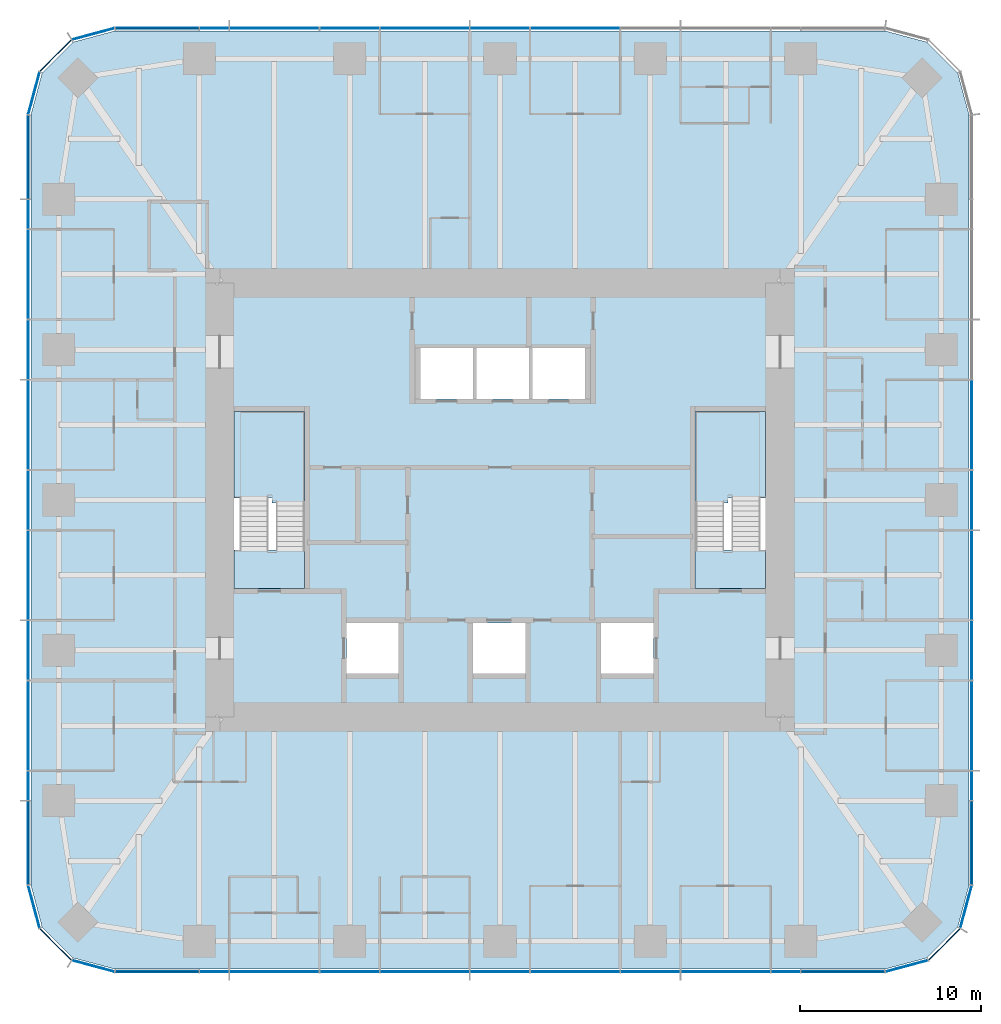
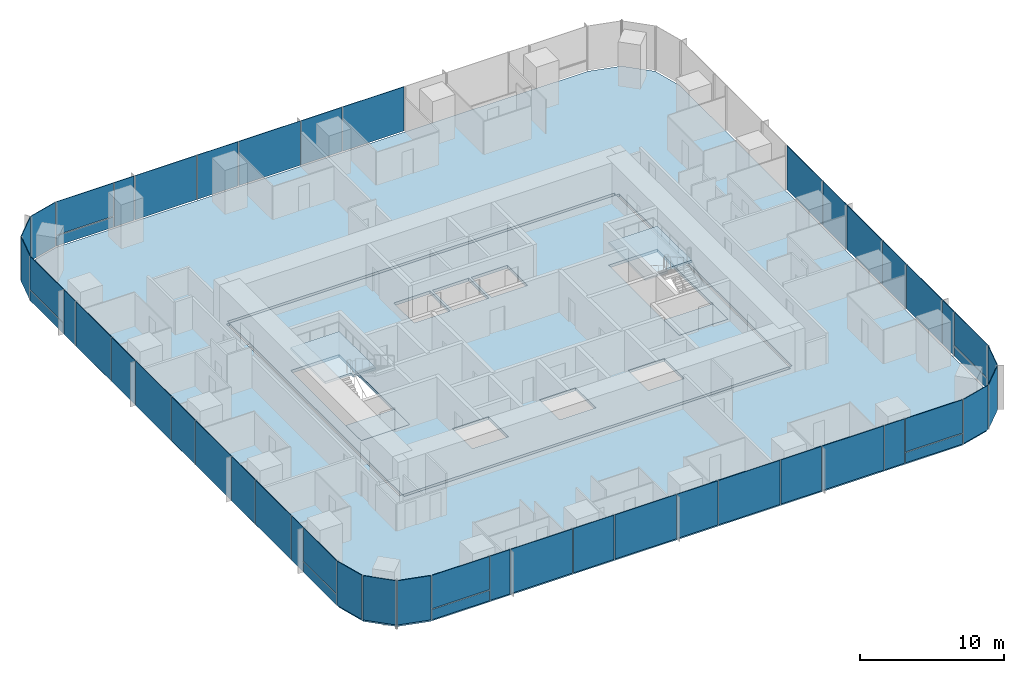
# One storey, part 7 of 12: 51 plates, 6 slabs, 9 elements without a shape of their own.
"""IFC4 building model written with IfcOpenShell, lengths in metres."""

import ifcopenshell
import ifcopenshell.guid

model = None  # the IFC model being written
_history = None  # IfcOwnerHistory: only IFC2X3 demands one
_inside = {}  # id of a spatial element -> (the spatial element, [elements in it])
_under = {}  # id of a project, library or spatial element -> (it, [spatial elements below it])
_declared = {}  # id of a project -> (the project, [libraries it declares])
_typed = {}  # id of a type object -> (the type object, [elements of that type])
_made_of = {}  # id of a material, layer set ... -> (it, [elements and type objects made of it])


def new_model(schema):
    """Start an empty IFC model of exactly this schema.

    Asked for "IFC4X3", IfcOpenShell would pick the latest addendum, in which some entities
    have other attributes; the version numbers below select the first issue.
    IFC2X3 requires an IfcOwnerHistory on every rooted entity: one is made here for all.
    """
    global model, _history
    if schema == "IFC4X3":
        model = ifcopenshell.file(schema_version=(4, 3, 0, 0))
    else:
        model = ifcopenshell.file(schema=schema)
    _inside.clear()
    _under.clear()
    _declared.clear()
    _typed.clear()
    _made_of.clear()
    _history = None
    if model.schema == "IFC2X3":
        org = make("IfcOrganization", Name="unknown")
        user = make(
            "IfcPersonAndOrganization",
            ThePerson=make("IfcPerson", FamilyName="unknown"),
            TheOrganization=org,
        )
        app = make(
            "IfcApplication",
            ApplicationDeveloper=org,
            Version="unknown",
            ApplicationFullName="unknown",
            ApplicationIdentifier="unknown",
        )
        _history = make(
            "IfcOwnerHistory",
            OwningUser=user,
            OwningApplication=app,
            ChangeAction="ADDED",
            CreationDate=0,
        )
    return model


def make(cls, **values):
    """One entity of the class cls with the attributes given. An attribute that is None is left unset."""
    return model.create_entity(
        cls, **{name: value for name, value in values.items() if value is not None}
    )


def rooted(cls, **values):
    """An entity with a GlobalId (a new one), such as an element, a storey or a relation."""
    return make(cls, GlobalId=ifcopenshell.guid.new(), OwnerHistory=_history, **values)


def si_unit(unit_type, name, prefix=None):
    """IfcSIUnit, for example si_unit("LENGTHUNIT", "METRE", prefix="MILLI")."""
    return make("IfcSIUnit", UnitType=unit_type, Prefix=prefix, Name=name)


def assignment(units):
    """IfcUnitAssignment: the units of a project."""
    return None if units is None else make("IfcUnitAssignment", Units=units)


def point(xyz):
    """IfcCartesianPoint."""
    return None if xyz is None else make("IfcCartesianPoint", Coordinates=xyz)


def direction(xyz):
    """IfcDirection."""
    return None if xyz is None else make("IfcDirection", DirectionRatios=xyz)


def frame(location, z_axis=None, x_axis=None):
    """IfcAxis2Placement3D, a coordinate frame: its origin and axes. An axis left out is left unset."""
    return make(
        "IfcAxis2Placement3D",
        Location=point(location),
        Axis=direction(z_axis),
        RefDirection=direction(x_axis),
    )


def frame_2d(location, x_axis=None):
    """IfcAxis2Placement2D, a coordinate frame in the plane: its origin and x axis."""
    return make(
        "IfcAxis2Placement2D", Location=point(location), RefDirection=direction(x_axis)
    )


def origin():
    """The frame at (0, 0, 0) with its axes left unset."""
    return frame((0.0, 0.0, 0.0))


def origin_2d():
    """The frame at (0, 0) in the plane with its x axis left unset."""
    return frame_2d((0.0, 0.0))


def place(relative_to, where):
    """IfcLocalPlacement: puts the frame where relative to a parent placement (None: the world)."""
    return make(
        "IfcLocalPlacement", PlacementRelTo=relative_to, RelativePlacement=where
    )


def context(
    kind, dimensions, precision=None, world=None, true_north=None, identifier=None
):
    """IfcGeometricRepresentationContext, for example the 3D "Model" context."""
    return make(
        "IfcGeometricRepresentationContext",
        ContextIdentifier=identifier,
        ContextType=kind,
        CoordinateSpaceDimension=dimensions,
        Precision=precision,
        WorldCoordinateSystem=world,
        TrueNorth=true_north,
    )


def subcontext(parent, identifier, kind, view, scale=None):
    """IfcGeometricRepresentationSubContext, for example "Body" below "Model"."""
    return make(
        "IfcGeometricRepresentationSubContext",
        ContextIdentifier=identifier,
        ContextType=kind,
        ParentContext=parent,
        TargetScale=scale,
        TargetView=view,
    )


def project(units=None, contexts=None):
    """IfcProject with its units and contexts."""
    return rooted(
        "IfcProject",
        Name="project",
        RepresentationContexts=contexts,
        UnitsInContext=assignment(units),
    )


def spatial(cls, under=None, at=None, **own):
    """A site, building, storey or space (cls), placed at a placement, below another one or the project."""
    s = rooted(cls, ObjectPlacement=at, **own)
    if under is not None:
        _under.setdefault(under.id(), (under, []))[1].append(s)
    return s


def polyline(points):
    """IfcPolyline through the points."""
    return make("IfcPolyline", Points=[point(p) for p in points])


def profile(cls, at=None, kind="AREA", **sizes):
    """A parametric profile (cls). Its sizes go by their IFC names, for example OverallWidth=200.0."""
    return make(cls, ProfileType=kind, Position=at, **sizes)


def rectangle(**sizes):
    """IfcRectangleProfileDef."""
    return profile("IfcRectangleProfileDef", **sizes)


def outline(outer, holes=None, kind="AREA"):
    """IfcArbitraryClosedProfileDef: a profile drawn as a closed curve; with holes, ...WithVoids."""
    if holes is None:
        return make("IfcArbitraryClosedProfileDef", ProfileType=kind, OuterCurve=outer)
    return make(
        "IfcArbitraryProfileDefWithVoids",
        ProfileType=kind,
        OuterCurve=outer,
        InnerCurves=holes,
    )


def extrude(swept, where, along, depth):
    """IfcExtrudedAreaSolid: the profile swept, set in the frame where, extruded along a direction by depth."""
    return make(
        "IfcExtrudedAreaSolid",
        SweptArea=swept,
        Position=where,
        ExtrudedDirection=direction(along),
        Depth=depth,
    )


def shape(context_of_items, identifier, shape_type, items):
    """IfcShapeRepresentation: the items that make up one representation, for example the "Body"."""
    return make(
        "IfcShapeRepresentation",
        ContextOfItems=context_of_items,
        RepresentationIdentifier=identifier,
        RepresentationType=shape_type,
        Items=items,
    )


def material(Name=None, Category=None):
    """IfcMaterial."""
    return make("IfcMaterial", Name=Name, Category=Category)


def layer(
    of_material, thickness, ventilated=None, Name=None, Category=None, Priority=None
):
    """IfcMaterialLayer: one layer of a wall or slab, of a material (None: an air gap)."""
    return make(
        "IfcMaterialLayer",
        Material=of_material,
        LayerThickness=thickness,
        IsVentilated=ventilated,
        Name=Name,
        Category=Category,
        Priority=Priority,
    )


def layer_set(layers, Name=None):
    """IfcMaterialLayerSet."""
    return make("IfcMaterialLayerSet", MaterialLayers=layers, LayerSetName=Name)


def made_of(thing, what):
    """Note that an element or type object is made of a material, layer set ...; save() writes the relation."""
    if what is not None:
        _made_of.setdefault(what.id(), (what, []))[1].append(thing)
    return thing


def type_object(cls, material=None, **own):
    """A type object (cls), such as IfcWallType, which elements share."""
    return made_of(rooted(cls, **own), material)


def element(
    cls,
    number,
    at=None,
    inside=None,
    cuts=None,
    type_object=None,
    material=None,
    context=None,
    identifier="Body",
    shape_type=None,
    held_by="IfcProductDefinitionShape",
    body=None,
    shapes=None,
    **own,
):
    """One element of the class cls, such as IfcWall. Its Tag is "e" and its number.

    at: its placement. inside: the storey or other place that contains it. cuts: it is an
    opening in that element (IfcRelVoidsElement). A single representation is given by context,
    identifier, shape_type and body (its items); several are given by shapes. held_by: the class
    of the entity that holds the representations. save() writes the other relations.
    """
    e = rooted(cls, Tag="e%d" % number, ObjectPlacement=at, **own)
    if body is not None:
        shapes = [shape(context, identifier, shape_type, body)]
    if shapes is not None:
        e.Representation = make(held_by, Representations=shapes)
    if inside is not None:
        _inside.setdefault(inside.id(), (inside, []))[1].append(e)
    if cuts is not None:
        rooted(
            "IfcRelVoidsElement", RelatingBuildingElement=cuts, RelatedOpeningElement=e
        )
    if type_object is not None:
        _typed.setdefault(type_object.id(), (type_object, []))[1].append(e)
    return made_of(e, material)


def aggregate(whole, parts):
    """IfcRelAggregates: a whole, such as a stair, and the parts it consists of."""
    return rooted("IfcRelAggregates", RelatingObject=whole, RelatedObjects=parts)


def save(model, path):
    """Write the relations noted so far, then the file.

    IfcRelAggregates (storeys below a building ...), IfcRelContainedInSpatialStructure (elements
    in a storey), IfcRelDefinesByType, IfcRelAssociatesMaterial and IfcRelDeclares: one each for
    every whole, place, type object, material and project.
    """
    for whole, parts in _under.values():
        aggregate(whole, parts)
    for where, things in _inside.values():
        rooted(
            "IfcRelContainedInSpatialStructure",
            RelatedElements=things,
            RelatingStructure=where,
        )
    for kind, things in _typed.values():
        rooted("IfcRelDefinesByType", RelatedObjects=things, RelatingType=kind)
    for what, things in _made_of.values():
        rooted("IfcRelAssociatesMaterial", RelatedObjects=things, RelatingMaterial=what)
    for by, libraries in _declared.values():
        rooted("IfcRelDeclares", RelatingContext=by, RelatedDefinitions=libraries)
    model.write(path)


model = new_model("IFC4")

# Units and contexts
model_context = context("Model", 3, precision=1e-05, world=origin(), true_north=direction((0.0, 1.0)))
body_context = subcontext(model_context, "Body", "Model", "MODEL_VIEW")
ifc_project = project(units=[si_unit("LENGTHUNIT", "METRE"), si_unit("AREAUNIT", "SQUARE_METRE"), si_unit("VOLUMEUNIT", "CUBIC_METRE"), si_unit("PLANEANGLEUNIT", "RADIAN"), si_unit("MASSUNIT", "GRAM", prefix="KILO")], contexts=[model_context])

# Site, building, storey
site_placement = place(None, origin())
site = spatial("IfcSite", under=ifc_project, at=site_placement, CompositionType="ELEMENT")
building_placement = place(site_placement, origin())
building = spatial("IfcBuilding", under=site, at=building_placement, Name="Khuree Lantern Residences", CompositionType="ELEMENT")
storey_placement = place(building_placement, frame((0.0, 0.0, 233.25)))
storey = spatial("IfcBuildingStorey", under=building, at=storey_placement, Name="L58", CompositionType="ELEMENT", Elevation=233.25)

# Slab
ifc_material_1 = material(Name="Concrete C35/45", Category="concrete")
ifc_layer_1 = layer(ifc_material_1, 0.25)
ifc_layer_set_1 = layer_set([ifc_layer_1], Name="CFL250 CORE FLOOR SLAB 250")
slab_type_1 = type_object("IfcSlabType", Name="CFL250 CORE FLOOR SLAB 250", PredefinedType="FLOOR", material=ifc_layer_set_1)
slab_1_placement = place(storey_placement, frame((0.0, 0.0, -0.25)))
element("IfcSlab", 1, at=slab_1_placement, inside=storey, type_object=slab_type_1, Name="Core floor L58", PredefinedType="FLOOR", context=body_context, shape_type="SweptSolid", body=[
    extrude(outline(polyline([(-15.5, -12.0), (-15.5, 12.0), (15.5, 12.0), (15.5, -12.0), (-15.5, -12.0)]), holes=[polyline([(10.800048828125, 4.89990234375), (10.800048828125, -4.89990234375), (14.699951171875, -4.89990234375), (14.699951171875, 4.89990234375), (10.800048828125, 4.89990234375)]), polyline([(5.60009765625, -6.800048828125), (5.60009765625, -9.60009765625), (8.5, -9.60009765625), (8.5, -6.800048828125), (5.60009765625, -6.800048828125)]), polyline([(1.800048828125, 8.39990234375), (1.800048828125, 5.60009765625), (4.699951171875, 5.60009765625), (4.699951171875, 8.39990234375), (1.800048828125, 8.39990234375)]), polyline([(-1.300048828125, 8.39990234375), (-1.300048828125, 5.60009765625), (1.60009765625, 5.60009765625), (1.60009765625, 8.39990234375), (-1.300048828125, 8.39990234375)]), polyline([(-1.5, -6.800048828125), (-1.5, -9.60009765625), (1.39990234375, -9.60009765625), (1.39990234375, -6.800048828125), (-1.5, -6.800048828125)]), polyline([(-4.39990234375, 8.39990234375), (-4.39990234375, 5.60009765625), (-1.5, 5.60009765625), (-1.5, 8.39990234375), (-4.39990234375, 8.39990234375)]), polyline([(-8.5, -6.800048828125), (-8.5, -9.60009765625), (-5.60009765625, -9.60009765625), (-5.60009765625, -6.800048828125), (-8.5, -6.800048828125)]), polyline([(-14.699951171875, 4.89990234375), (-14.699951171875, -4.89990234375), (-10.800048828125, -4.89990234375), (-10.800048828125, 4.89990234375), (-14.699951171875, 4.89990234375)])]), origin(), (0.0, 0.0, 1.0), 0.25),
])

# Curtain wall, plates
ifc_material_2 = material(Name="Bronze anodised aluminium", Category="aluminium")
curtain_wall_type_1 = type_object("IfcCurtainWallType", Name="CW-T2 TOWER CORNER CURTAIN WALL", PredefinedType="USERDEFINED", material=ifc_material_2)
curtain_wall_1_placement = place(storey_placement, origin())
curtain_wall_1 = element("IfcCurtainWall", 2, at=curtain_wall_1_placement, inside=storey, type_object=curtain_wall_type_1, Name="L58 SOUTH-EAST CORNER CURTAIN WALL", ObjectType="Faceted corner curtain wall", PredefinedType="USERDEFINED")
ifc_material_3 = material(Name="Bronze tinted triple glazing", Category="glass")
ifc_layer_2 = layer(ifc_material_3, 0.048095703125)
ifc_layer_set_2 = layer_set([ifc_layer_2], Name="FACET PANEL P4")
plate_type_1 = type_object("IfcPlateType", Name="FACET PANEL P4", PredefinedType="CURTAIN_PANEL", material=ifc_layer_set_2)
plate_1_placement = place(storey_placement, frame((22.498046875, -25.779052734375, 0.0), z_axis=(0.0, 0.0, 1.0), x_axis=(0.965925832509, 0.258819021888, 0.0)))
plate_1 = element("IfcPlate", 3, at=plate_1_placement, type_object=plate_type_1, Name="L58 SOUTH-EAST CORNER PANEL 1.1", PredefinedType="CURTAIN_PANEL", context=body_context, shape_type="SweptSolid", body=[
    extrude(rectangle(XDim=2.40869140625, YDim=0.048095703125, at=origin_2d()), origin(), (0.0, 0.0, 1.0), 3.75),
])
plate_2_placement = place(storey_placement, frame((24.578369140625, -24.578369140625, 0.0), z_axis=(0.0, 0.0, 1.0), x_axis=(0.707106781187, 0.707106781187, 0.0)))
plate_2 = element("IfcPlate", 4, at=plate_2_placement, type_object=plate_type_1, Name="L58 SOUTH-EAST CORNER PANEL 2.1", PredefinedType="CURTAIN_PANEL", context=body_context, shape_type="SweptSolid", body=[
    extrude(rectangle(XDim=2.404541015625, YDim=0.048095703125, at=origin_2d()), origin(), (0.0, 0.0, 1.0), 3.75),
])
plate_3_placement = place(storey_placement, frame((25.779052734375, -22.498046875, 0.0), z_axis=(0.0, 0.0, 1.0), x_axis=(0.258819021888, 0.965925832509, 0.0)))
plate_3 = element("IfcPlate", 5, at=plate_3_placement, type_object=plate_type_1, Name="L58 SOUTH-EAST CORNER PANEL 3.1", PredefinedType="CURTAIN_PANEL", context=body_context, shape_type="SweptSolid", body=[
    extrude(rectangle(XDim=2.40869140625, YDim=0.048095703125, at=origin_2d()), origin(), (0.0, 0.0, 1.0), 3.75),
])
aggregate(curtain_wall_1, [plate_1, plate_2, plate_3])

curtain_wall_2_placement = place(storey_placement, origin())
curtain_wall_2 = element("IfcCurtainWall", 6, at=curtain_wall_2_placement, inside=storey, type_object=curtain_wall_type_1, Name="L58 NORTH-WEST CORNER CURTAIN WALL", ObjectType="Faceted corner curtain wall", PredefinedType="USERDEFINED")
plate_4_placement = place(storey_placement, frame((-22.498046875, 25.779052734375, 0.0), z_axis=(0.0, 0.0, 1.0), x_axis=(-0.965925832509, -0.258819021888, 0.0)))
plate_4 = element("IfcPlate", 7, at=plate_4_placement, type_object=plate_type_1, Name="L58 NORTH-WEST CORNER PANEL 29.1", PredefinedType="CURTAIN_PANEL", context=body_context, shape_type="SweptSolid", body=[
    extrude(rectangle(XDim=2.40869140625, YDim=0.048095703125, at=origin_2d()), origin(), (0.0, 0.0, 1.0), 3.75),
])
plate_5_placement = place(storey_placement, frame((-24.578369140625, 24.578369140625, 0.0), z_axis=(0.0, 0.0, 1.0), x_axis=(-0.707106781187, -0.707106781187, 0.0)))
plate_5 = element("IfcPlate", 8, at=plate_5_placement, type_object=plate_type_1, Name="L58 NORTH-WEST CORNER PANEL 30.1", PredefinedType="CURTAIN_PANEL", context=body_context, shape_type="SweptSolid", body=[
    extrude(rectangle(XDim=2.404541015625, YDim=0.048095703125, at=origin_2d()), origin(), (0.0, 0.0, 1.0), 3.75),
])
plate_6_placement = place(storey_placement, frame((-25.779052734375, 22.498046875, 0.0), z_axis=(0.0, 0.0, 1.0), x_axis=(-0.258819021888, -0.965925832509, 0.0)))
plate_6 = element("IfcPlate", 9, at=plate_6_placement, type_object=plate_type_1, Name="L58 NORTH-WEST CORNER PANEL 31.1", PredefinedType="CURTAIN_PANEL", context=body_context, shape_type="SweptSolid", body=[
    extrude(rectangle(XDim=2.40869140625, YDim=0.048095703125, at=origin_2d()), origin(), (0.0, 0.0, 1.0), 3.75),
])
aggregate(curtain_wall_2, [plate_4, plate_5, plate_6])

curtain_wall_3_placement = place(storey_placement, origin())
curtain_wall_3 = element("IfcCurtainWall", 10, at=curtain_wall_3_placement, inside=storey, type_object=curtain_wall_type_1, Name="L58 SOUTH-WEST CORNER CURTAIN WALL", ObjectType="Faceted corner curtain wall", PredefinedType="USERDEFINED")
plate_7_placement = place(storey_placement, frame((-25.779052734375, -22.498046875, 0.0), z_axis=(0.0, 0.0, 1.0), x_axis=(0.258819021888, -0.965925832509, 0.0)))
plate_7 = element("IfcPlate", 11, at=plate_7_placement, type_object=plate_type_1, Name="L58 SOUTH-WEST CORNER PANEL 43.1", PredefinedType="CURTAIN_PANEL", context=body_context, shape_type="SweptSolid", body=[
    extrude(rectangle(XDim=2.40869140625, YDim=0.048095703125, at=origin_2d()), origin(), (0.0, 0.0, 1.0), 3.75),
])
plate_8_placement = place(storey_placement, frame((-24.578369140625, -24.578369140625, 0.0), z_axis=(0.0, 0.0, 1.0), x_axis=(0.707106781187, -0.707106781187, 0.0)))
plate_8 = element("IfcPlate", 12, at=plate_8_placement, type_object=plate_type_1, Name="L58 SOUTH-WEST CORNER PANEL 44.1", PredefinedType="CURTAIN_PANEL", context=body_context, shape_type="SweptSolid", body=[
    extrude(rectangle(XDim=2.404541015625, YDim=0.048095703125, at=origin_2d()), origin(), (0.0, 0.0, 1.0), 3.75),
])
plate_9_placement = place(storey_placement, frame((-22.498046875, -25.779052734375, 0.0), z_axis=(0.0, 0.0, 1.0), x_axis=(0.965925832509, -0.258819021888, 0.0)))
plate_9 = element("IfcPlate", 13, at=plate_9_placement, type_object=plate_type_1, Name="L58 SOUTH-WEST CORNER PANEL 45.1", PredefinedType="CURTAIN_PANEL", context=body_context, shape_type="SweptSolid", body=[
    extrude(rectangle(XDim=2.40869140625, YDim=0.048095703125, at=origin_2d()), origin(), (0.0, 0.0, 1.0), 3.75),
])
aggregate(curtain_wall_3, [plate_7, plate_8, plate_9])

curtain_wall_type_2 = type_object("IfcCurtainWallType", Name="CW-T1 TOWER FACE CURTAIN WALL", PredefinedType="USERDEFINED", material=ifc_material_2)
curtain_wall_4_placement = place(storey_placement, origin())
curtain_wall_4 = element("IfcCurtainWall", 14, at=curtain_wall_4_placement, inside=storey, type_object=curtain_wall_type_2, Name="L58 EAST FACE CURTAIN WALL", ObjectType="Stick-built curtain wall", PredefinedType="USERDEFINED")
ifc_material_4 = material(Name="Bronze tinted triple glazing with a ceramic-fritted spandrel band", Category="glass")
ifc_layer_3 = layer(ifc_material_4, 0.048095703125)
ifc_layer_set_3 = layer_set([ifc_layer_3], Name="FIXED LIGHT PANEL P11")
plate_type_2 = type_object("IfcPlateType", Name="FIXED LIGHT PANEL P11", PredefinedType="CURTAIN_PANEL", material=ifc_layer_set_3)
plate_10_placement = place(storey_placement, frame((26.10009765625, -12.47998046875, 0.0), z_axis=(0.0, 0.0, 1.0), x_axis=(0.0, 1.0, 0.0)))
plate_10 = element("IfcPlate", 15, at=plate_10_placement, type_object=plate_type_2, Name="L58 EAST FACE PANEL 6.1", PredefinedType="CURTAIN_PANEL", context=body_context, shape_type="SweptSolid", body=[
    extrude(rectangle(XDim=4.927001953125, YDim=0.048095703125, at=origin_2d()), origin(), (0.0, 0.0, 1.0), 3.75),
])
plate_11_placement = place(storey_placement, frame((26.10009765625, -4.159912109375, 0.0), z_axis=(0.0, 0.0, 1.0), x_axis=(0.0, 1.0, 0.0)))
plate_11 = element("IfcPlate", 16, at=plate_11_placement, type_object=plate_type_2, Name="L58 EAST FACE PANEL 8.1", PredefinedType="CURTAIN_PANEL", context=body_context, shape_type="SweptSolid", body=[
    extrude(rectangle(XDim=4.927001953125, YDim=0.048095703125, at=origin_2d()), origin(), (0.0, 0.0, 1.0), 3.75),
])
plate_12_placement = place(storey_placement, frame((26.10009765625, 4.159912109375, 0.0), z_axis=(0.0, 0.0, 1.0), x_axis=(0.0, 1.0, 0.0)))
plate_12 = element("IfcPlate", 17, at=plate_12_placement, type_object=plate_type_2, Name="L58 EAST FACE PANEL 10.1", PredefinedType="CURTAIN_PANEL", context=body_context, shape_type="SweptSolid", body=[
    extrude(rectangle(XDim=4.927001953125, YDim=0.048095703125, at=origin_2d()), origin(), (0.0, 0.0, 1.0), 3.75),
])

curtain_wall_5_placement = place(storey_placement, origin())
curtain_wall_5 = element("IfcCurtainWall", 18, at=curtain_wall_5_placement, inside=storey, type_object=curtain_wall_type_2, Name="L58 NORTH FACE CURTAIN WALL", ObjectType="Stick-built curtain wall", PredefinedType="USERDEFINED")
plate_13_placement = place(storey_placement, frame((4.159912109375, 26.10009765625, 0.0), z_axis=(0.0, 0.0, 1.0), x_axis=(-1.0, 0.0, 0.0)))
plate_13 = element("IfcPlate", 19, at=plate_13_placement, type_object=plate_type_2, Name="L58 NORTH FACE PANEL 22.1", PredefinedType="CURTAIN_PANEL", context=body_context, shape_type="SweptSolid", body=[
    extrude(rectangle(XDim=4.927001953125, YDim=0.048095703125, at=origin_2d()), origin(), (0.0, 0.0, 1.0), 3.75),
])
plate_14_placement = place(storey_placement, frame((-4.159912109375, 26.10009765625, 0.0), z_axis=(0.0, 0.0, 1.0), x_axis=(-1.0, 0.0, 0.0)))
plate_14 = element("IfcPlate", 20, at=plate_14_placement, type_object=plate_type_2, Name="L58 NORTH FACE PANEL 24.1", PredefinedType="CURTAIN_PANEL", context=body_context, shape_type="SweptSolid", body=[
    extrude(rectangle(XDim=4.927001953125, YDim=0.048095703125, at=origin_2d()), origin(), (0.0, 0.0, 1.0), 3.75),
])
plate_15_placement = place(storey_placement, frame((-12.47998046875, 26.10009765625, 0.0), z_axis=(0.0, 0.0, 1.0), x_axis=(-1.0, 0.0, 0.0)))
plate_15 = element("IfcPlate", 21, at=plate_15_placement, type_object=plate_type_2, Name="L58 NORTH FACE PANEL 26.1", PredefinedType="CURTAIN_PANEL", context=body_context, shape_type="SweptSolid", body=[
    extrude(rectangle(XDim=4.927001953125, YDim=0.048095703125, at=origin_2d()), origin(), (0.0, 0.0, 1.0), 3.75),
])

curtain_wall_6_placement = place(storey_placement, origin())
curtain_wall_6 = element("IfcCurtainWall", 22, at=curtain_wall_6_placement, inside=storey, type_object=curtain_wall_type_2, Name="L58 WEST FACE CURTAIN WALL", ObjectType="Stick-built curtain wall", PredefinedType="USERDEFINED")
plate_16_placement = place(storey_placement, frame((-26.10009765625, 12.47998046875, 0.0), z_axis=(0.0, 0.0, 1.0), x_axis=(0.0, -1.0, 0.0)))
plate_16 = element("IfcPlate", 23, at=plate_16_placement, type_object=plate_type_2, Name="L58 WEST FACE PANEL 34.1", PredefinedType="CURTAIN_PANEL", context=body_context, shape_type="SweptSolid", body=[
    extrude(rectangle(XDim=4.927001953125, YDim=0.048095703125, at=origin_2d()), origin(), (0.0, 0.0, 1.0), 3.75),
])
plate_17_placement = place(storey_placement, frame((-26.10009765625, 4.159912109375, 0.0), z_axis=(0.0, 0.0, 1.0), x_axis=(0.0, -1.0, 0.0)))
plate_17 = element("IfcPlate", 24, at=plate_17_placement, type_object=plate_type_2, Name="L58 WEST FACE PANEL 36.1", PredefinedType="CURTAIN_PANEL", context=body_context, shape_type="SweptSolid", body=[
    extrude(rectangle(XDim=4.927001953125, YDim=0.048095703125, at=origin_2d()), origin(), (0.0, 0.0, 1.0), 3.75),
])
plate_18_placement = place(storey_placement, frame((-26.10009765625, -4.159912109375, 0.0), z_axis=(0.0, 0.0, 1.0), x_axis=(0.0, -1.0, 0.0)))
plate_18 = element("IfcPlate", 25, at=plate_18_placement, type_object=plate_type_2, Name="L58 WEST FACE PANEL 38.1", PredefinedType="CURTAIN_PANEL", context=body_context, shape_type="SweptSolid", body=[
    extrude(rectangle(XDim=4.927001953125, YDim=0.048095703125, at=origin_2d()), origin(), (0.0, 0.0, 1.0), 3.75),
])
plate_19_placement = place(storey_placement, frame((-26.10009765625, -12.47998046875, 0.0), z_axis=(0.0, 0.0, 1.0), x_axis=(0.0, -1.0, 0.0)))
plate_19 = element("IfcPlate", 26, at=plate_19_placement, type_object=plate_type_2, Name="L58 WEST FACE PANEL 40.1", PredefinedType="CURTAIN_PANEL", context=body_context, shape_type="SweptSolid", body=[
    extrude(rectangle(XDim=4.927001953125, YDim=0.048095703125, at=origin_2d()), origin(), (0.0, 0.0, 1.0), 3.75),
])

curtain_wall_7_placement = place(storey_placement, origin())
curtain_wall_7 = element("IfcCurtainWall", 27, at=curtain_wall_7_placement, inside=storey, type_object=curtain_wall_type_2, Name="L58 SOUTH FACE CURTAIN WALL", ObjectType="Stick-built curtain wall", PredefinedType="USERDEFINED")
plate_20_placement = place(storey_placement, frame((-12.47998046875, -26.10009765625, 0.0), z_axis=(0.0, 0.0, 1.0), x_axis=(1.0, 0.0, 0.0)))
plate_20 = element("IfcPlate", 28, at=plate_20_placement, type_object=plate_type_2, Name="L58 SOUTH FACE PANEL 48.1", PredefinedType="CURTAIN_PANEL", context=body_context, shape_type="SweptSolid", body=[
    extrude(rectangle(XDim=4.927001953125, YDim=0.048095703125, at=origin_2d()), origin(), (0.0, 0.0, 1.0), 3.75),
])
plate_21_placement = place(storey_placement, frame((-4.159912109375, -26.10009765625, 0.0), z_axis=(0.0, 0.0, 1.0), x_axis=(1.0, 0.0, 0.0)))
plate_21 = element("IfcPlate", 29, at=plate_21_placement, type_object=plate_type_2, Name="L58 SOUTH FACE PANEL 50.1", PredefinedType="CURTAIN_PANEL", context=body_context, shape_type="SweptSolid", body=[
    extrude(rectangle(XDim=4.927001953125, YDim=0.048095703125, at=origin_2d()), origin(), (0.0, 0.0, 1.0), 3.75),
])
plate_22_placement = place(storey_placement, frame((4.159912109375, -26.10009765625, 0.0), z_axis=(0.0, 0.0, 1.0), x_axis=(1.0, 0.0, 0.0)))
plate_22 = element("IfcPlate", 30, at=plate_22_placement, type_object=plate_type_2, Name="L58 SOUTH FACE PANEL 52.1", PredefinedType="CURTAIN_PANEL", context=body_context, shape_type="SweptSolid", body=[
    extrude(rectangle(XDim=4.927001953125, YDim=0.048095703125, at=origin_2d()), origin(), (0.0, 0.0, 1.0), 3.75),
])
plate_23_placement = place(storey_placement, frame((12.47998046875, -26.10009765625, 0.0), z_axis=(0.0, 0.0, 1.0), x_axis=(1.0, 0.0, 0.0)))
plate_23 = element("IfcPlate", 31, at=plate_23_placement, type_object=plate_type_2, Name="L58 SOUTH FACE PANEL 54.1", PredefinedType="CURTAIN_PANEL", context=body_context, shape_type="SweptSolid", body=[
    extrude(rectangle(XDim=4.927001953125, YDim=0.048095703125, at=origin_2d()), origin(), (0.0, 0.0, 1.0), 3.75),
])

# Slab
ifc_layer_4 = layer(ifc_material_1, 0.25)
ifc_layer_set_4 = layer_set([ifc_layer_4], Name="FS250 FLOOR SLAB 250")
slab_type_2 = type_object("IfcSlabType", Name="FS250 FLOOR SLAB 250", PredefinedType="FLOOR", material=ifc_layer_set_4)
slab_2_placement = place(storey_placement, frame((0.0, 0.0, -0.25)))
element("IfcSlab", 32, at=slab_2_placement, inside=storey, type_object=slab_type_2, Name="Floor slab L58", PredefinedType="FLOOR", context=body_context, shape_type="SweptSolid", body=[
    extrude(outline(polyline([(-23.625, -25.326904296875), (-25.326904296875, -23.625), (-25.949951171875, -21.300048828125), (-25.949951171875, 21.300048828125), (-25.326904296875, 23.625), (-23.625, 25.326904296875), (-21.300048828125, 25.949951171875), (21.300048828125, 25.949951171875), (23.625, 25.326904296875), (25.326904296875, 23.625), (25.949951171875, 21.300048828125), (25.949951171875, -21.300048828125), (25.326904296875, -23.625), (23.625, -25.326904296875), (21.300048828125, -25.949951171875), (-21.300048828125, -25.949951171875), (-23.625, -25.326904296875)]), holes=[polyline([(15.75, 12.0), (15.5, 12.0), (15.5, 12.25), (-15.5, 12.25), (-15.5, 12.0), (-15.75, 12.0), (-15.75, -12.0), (-15.5, -12.0), (-15.5, -12.25), (15.5, -12.25), (15.5, -12.0), (15.75, -12.0), (15.75, 12.0)])]), origin(), (0.0, 0.0, 1.0), 0.25),
])

# Plate
ifc_material_5 = material(Name="Bronze tinted triple glazing, two aluminium-framed sashes in one frame", Category="aluminium")
ifc_layer_5 = layer(ifc_material_5, 0.048095703125)
ifc_layer_set_5 = layer_set([ifc_layer_5], Name="SASH PAIR PANEL P12")
plate_type_3 = type_object("IfcPlateType", Name="SASH PAIR PANEL P12", PredefinedType="CURTAIN_PANEL", material=ifc_layer_set_5)
plate_24_placement = place(storey_placement, frame((26.10009765625, -8.320068359375, 0.0), z_axis=(0.0, 0.0, 1.0), x_axis=(0.0, 1.0, 0.0)))
plate_24 = element("IfcPlate", 33, at=plate_24_placement, type_object=plate_type_3, Name="L58 EAST FACE PANEL 7.1", PredefinedType="CURTAIN_PANEL", context=body_context, shape_type="SweptSolid", body=[
    extrude(rectangle(XDim=3.262939453125, YDim=0.048095703125, at=origin_2d()), origin(), (0.0, 0.0, 1.0), 3.75),
])

plate_25_placement = place(storey_placement, frame((26.10009765625, 0.0, 0.0), z_axis=(0.0, 0.0, 1.0), x_axis=(0.0, 1.0, 0.0)))
plate_25 = element("IfcPlate", 34, at=plate_25_placement, type_object=plate_type_3, Name="L58 EAST FACE PANEL 9.1", PredefinedType="CURTAIN_PANEL", context=body_context, shape_type="SweptSolid", body=[
    extrude(rectangle(XDim=3.262939453125, YDim=0.048095703125, at=origin_2d()), origin(), (0.0, 0.0, 1.0), 3.75),
])

plate_26_placement = place(storey_placement, frame((0.0, 26.10009765625, 0.0), z_axis=(0.0, 0.0, 1.0), x_axis=(-1.0, 0.0, 0.0)))
plate_26 = element("IfcPlate", 35, at=plate_26_placement, type_object=plate_type_3, Name="L58 NORTH FACE PANEL 23.1", PredefinedType="CURTAIN_PANEL", context=body_context, shape_type="SweptSolid", body=[
    extrude(rectangle(XDim=3.262939453125, YDim=0.048095703125, at=origin_2d()), origin(), (0.0, 0.0, 1.0), 3.75),
])

plate_27_placement = place(storey_placement, frame((-8.320068359375, 26.10009765625, 0.0), z_axis=(0.0, 0.0, 1.0), x_axis=(-1.0, 0.0, 0.0)))
plate_27 = element("IfcPlate", 36, at=plate_27_placement, type_object=plate_type_3, Name="L58 NORTH FACE PANEL 25.1", PredefinedType="CURTAIN_PANEL", context=body_context, shape_type="SweptSolid", body=[
    extrude(rectangle(XDim=3.262939453125, YDim=0.048095703125, at=origin_2d()), origin(), (0.0, 0.0, 1.0), 3.75),
])

plate_28_placement = place(storey_placement, frame((-26.10009765625, 8.320068359375, 0.0), z_axis=(0.0, 0.0, 1.0), x_axis=(0.0, -1.0, 0.0)))
plate_28 = element("IfcPlate", 37, at=plate_28_placement, type_object=plate_type_3, Name="L58 WEST FACE PANEL 35.1", PredefinedType="CURTAIN_PANEL", context=body_context, shape_type="SweptSolid", body=[
    extrude(rectangle(XDim=3.262939453125, YDim=0.048095703125, at=origin_2d()), origin(), (0.0, 0.0, 1.0), 3.75),
])

plate_29_placement = place(storey_placement, frame((-26.10009765625, 0.0, 0.0), z_axis=(0.0, 0.0, 1.0), x_axis=(0.0, -1.0, 0.0)))
plate_29 = element("IfcPlate", 38, at=plate_29_placement, type_object=plate_type_3, Name="L58 WEST FACE PANEL 37.1", PredefinedType="CURTAIN_PANEL", context=body_context, shape_type="SweptSolid", body=[
    extrude(rectangle(XDim=3.262939453125, YDim=0.048095703125, at=origin_2d()), origin(), (0.0, 0.0, 1.0), 3.75),
])

plate_30_placement = place(storey_placement, frame((-26.10009765625, -8.320068359375, 0.0), z_axis=(0.0, 0.0, 1.0), x_axis=(0.0, -1.0, 0.0)))
plate_30 = element("IfcPlate", 39, at=plate_30_placement, type_object=plate_type_3, Name="L58 WEST FACE PANEL 39.1", PredefinedType="CURTAIN_PANEL", context=body_context, shape_type="SweptSolid", body=[
    extrude(rectangle(XDim=3.262939453125, YDim=0.048095703125, at=origin_2d()), origin(), (0.0, 0.0, 1.0), 3.75),
])

plate_31_placement = place(storey_placement, frame((-8.320068359375, -26.10009765625, 0.0), z_axis=(0.0, 0.0, 1.0), x_axis=(1.0, 0.0, 0.0)))
plate_31 = element("IfcPlate", 40, at=plate_31_placement, type_object=plate_type_3, Name="L58 SOUTH FACE PANEL 49.1", PredefinedType="CURTAIN_PANEL", context=body_context, shape_type="SweptSolid", body=[
    extrude(rectangle(XDim=3.262939453125, YDim=0.048095703125, at=origin_2d()), origin(), (0.0, 0.0, 1.0), 3.75),
])

plate_32_placement = place(storey_placement, frame((0.0, -26.10009765625, 0.0), z_axis=(0.0, 0.0, 1.0), x_axis=(1.0, 0.0, 0.0)))
plate_32 = element("IfcPlate", 41, at=plate_32_placement, type_object=plate_type_3, Name="L58 SOUTH FACE PANEL 51.1", PredefinedType="CURTAIN_PANEL", context=body_context, shape_type="SweptSolid", body=[
    extrude(rectangle(XDim=3.262939453125, YDim=0.048095703125, at=origin_2d()), origin(), (0.0, 0.0, 1.0), 3.75),
])

plate_33_placement = place(storey_placement, frame((8.320068359375, -26.10009765625, 0.0), z_axis=(0.0, 0.0, 1.0), x_axis=(1.0, 0.0, 0.0)))
plate_33 = element("IfcPlate", 42, at=plate_33_placement, type_object=plate_type_3, Name="L58 SOUTH FACE PANEL 53.1", PredefinedType="CURTAIN_PANEL", context=body_context, shape_type="SweptSolid", body=[
    extrude(rectangle(XDim=3.262939453125, YDim=0.048095703125, at=origin_2d()), origin(), (0.0, 0.0, 1.0), 3.75),
])

ifc_material_6 = material(Name="Bronze tinted triple glazing, aluminium-framed sash", Category="aluminium")
ifc_layer_6 = layer(ifc_material_6, 0.048095703125)
ifc_layer_set_6 = layer_set([ifc_layer_6], Name="SASH PANEL P3")
plate_type_4 = type_object("IfcPlateType", Name="SASH PANEL P3", PredefinedType="CURTAIN_PANEL", material=ifc_layer_set_6)
plate_34_placement = place(storey_placement, frame((26.10009765625, -15.80810546875, 0.0), z_axis=(0.0, 0.0, 1.0), x_axis=(0.0, 1.0, 0.0)))
plate_34 = element("IfcPlate", 43, at=plate_34_placement, type_object=plate_type_4, Name="L58 EAST FACE PANEL 5.1", PredefinedType="CURTAIN_PANEL", context=body_context, shape_type="SweptSolid", body=[
    extrude(rectangle(XDim=1.59912109375, YDim=0.048095703125, at=origin_2d()), origin(), (0.0, 0.0, 1.0), 3.75),
])

plate_35_placement = place(storey_placement, frame((-15.80810546875, 26.10009765625, 0.0), z_axis=(0.0, 0.0, 1.0), x_axis=(-1.0, 0.0, 0.0)))
plate_35 = element("IfcPlate", 44, at=plate_35_placement, type_object=plate_type_4, Name="L58 NORTH FACE PANEL 27.1", PredefinedType="CURTAIN_PANEL", context=body_context, shape_type="SweptSolid", body=[
    extrude(rectangle(XDim=1.59912109375, YDim=0.048095703125, at=origin_2d()), origin(), (0.0, 0.0, 1.0), 3.75),
])

plate_36_placement = place(storey_placement, frame((-26.10009765625, 15.80810546875, 0.0), z_axis=(0.0, 0.0, 1.0), x_axis=(0.0, -1.0, 0.0)))
plate_36 = element("IfcPlate", 45, at=plate_36_placement, type_object=plate_type_4, Name="L58 WEST FACE PANEL 33.1", PredefinedType="CURTAIN_PANEL", context=body_context, shape_type="SweptSolid", body=[
    extrude(rectangle(XDim=1.59912109375, YDim=0.048095703125, at=origin_2d()), origin(), (0.0, 0.0, 1.0), 3.75),
])

plate_37_placement = place(storey_placement, frame((-26.10009765625, -15.80810546875, 0.0), z_axis=(0.0, 0.0, 1.0), x_axis=(0.0, -1.0, 0.0)))
plate_37 = element("IfcPlate", 46, at=plate_37_placement, type_object=plate_type_4, Name="L58 WEST FACE PANEL 41.1", PredefinedType="CURTAIN_PANEL", context=body_context, shape_type="SweptSolid", body=[
    extrude(rectangle(XDim=1.59912109375, YDim=0.048095703125, at=origin_2d()), origin(), (0.0, 0.0, 1.0), 3.75),
])

plate_38_placement = place(storey_placement, frame((-15.80810546875, -26.10009765625, 0.0), z_axis=(0.0, 0.0, 1.0), x_axis=(1.0, 0.0, 0.0)))
plate_38 = element("IfcPlate", 47, at=plate_38_placement, type_object=plate_type_4, Name="L58 SOUTH FACE PANEL 47.1", PredefinedType="CURTAIN_PANEL", context=body_context, shape_type="SweptSolid", body=[
    extrude(rectangle(XDim=1.59912109375, YDim=0.048095703125, at=origin_2d()), origin(), (0.0, 0.0, 1.0), 3.75),
])

plate_39_placement = place(storey_placement, frame((15.80810546875, -26.10009765625, 0.0), z_axis=(0.0, 0.0, 1.0), x_axis=(1.0, 0.0, 0.0)))
plate_39 = element("IfcPlate", 48, at=plate_39_placement, type_object=plate_type_4, Name="L58 SOUTH FACE PANEL 55.1", PredefinedType="CURTAIN_PANEL", context=body_context, shape_type="SweptSolid", body=[
    extrude(rectangle(XDim=1.59912109375, YDim=0.048095703125, at=origin_2d()), origin(), (0.0, 0.0, 1.0), 3.75),
])

ifc_material_7 = material(Name="Bronze anodised aluminium insulated spandrel", Category="aluminium")
ifc_layer_7 = layer(ifc_material_7, 0.06005859375)
ifc_layer_set_7 = layer_set([ifc_layer_7], Name="SPANDREL PANEL P2")
plate_type_5 = type_object("IfcPlateType", Name="SPANDREL PANEL P2", PredefinedType="CURTAIN_PANEL", material=ifc_layer_set_7)
plate_40_placement = place(storey_placement, frame((26.10009765625, -18.9677734375, 0.0), z_axis=(0.0, 0.0, 1.0), x_axis=(0.0, 1.0, 0.0)))
plate_40 = element("IfcPlate", 49, at=plate_40_placement, type_object=plate_type_5, Name="L58 EAST FACE PANEL 4.1", PredefinedType="CURTAIN_PANEL", context=body_context, shape_type="SweptSolid", body=[
    extrude(rectangle(XDim=4.5908203125, YDim=0.06005859375, at=origin_2d()), origin(), (0.0, 0.0, 1.0), 0.867431640625),
])

plate_41_placement = place(storey_placement, frame((-18.9677734375, 26.10009765625, 0.0), z_axis=(0.0, 0.0, 1.0), x_axis=(-1.0, 0.0, 0.0)))
plate_41 = element("IfcPlate", 50, at=plate_41_placement, type_object=plate_type_5, Name="L58 NORTH FACE PANEL 28.1", PredefinedType="CURTAIN_PANEL", context=body_context, shape_type="SweptSolid", body=[
    extrude(rectangle(XDim=4.5908203125, YDim=0.06005859375, at=origin_2d()), origin(), (0.0, 0.0, 1.0), 0.867431640625),
])

plate_42_placement = place(storey_placement, frame((-26.10009765625, 18.9677734375, 0.0), z_axis=(0.0, 0.0, 1.0), x_axis=(0.0, -1.0, 0.0)))
plate_42 = element("IfcPlate", 51, at=plate_42_placement, type_object=plate_type_5, Name="L58 WEST FACE PANEL 32.1", PredefinedType="CURTAIN_PANEL", context=body_context, shape_type="SweptSolid", body=[
    extrude(rectangle(XDim=4.5908203125, YDim=0.06005859375, at=origin_2d()), origin(), (0.0, 0.0, 1.0), 0.867431640625),
])

plate_43_placement = place(storey_placement, frame((-26.10009765625, -18.9677734375, 0.0), z_axis=(0.0, 0.0, 1.0), x_axis=(0.0, -1.0, 0.0)))
plate_43 = element("IfcPlate", 52, at=plate_43_placement, type_object=plate_type_5, Name="L58 WEST FACE PANEL 42.1", PredefinedType="CURTAIN_PANEL", context=body_context, shape_type="SweptSolid", body=[
    extrude(rectangle(XDim=4.5908203125, YDim=0.06005859375, at=origin_2d()), origin(), (0.0, 0.0, 1.0), 0.867431640625),
])

plate_44_placement = place(storey_placement, frame((-18.9677734375, -26.10009765625, 0.0), z_axis=(0.0, 0.0, 1.0), x_axis=(1.0, 0.0, 0.0)))
plate_44 = element("IfcPlate", 53, at=plate_44_placement, type_object=plate_type_5, Name="L58 SOUTH FACE PANEL 46.1", PredefinedType="CURTAIN_PANEL", context=body_context, shape_type="SweptSolid", body=[
    extrude(rectangle(XDim=4.5908203125, YDim=0.06005859375, at=origin_2d()), origin(), (0.0, 0.0, 1.0), 0.867431640625),
])

plate_45_placement = place(storey_placement, frame((18.9677734375, -26.10009765625, 0.0), z_axis=(0.0, 0.0, 1.0), x_axis=(1.0, 0.0, 0.0)))
plate_45 = element("IfcPlate", 54, at=plate_45_placement, type_object=plate_type_5, Name="L58 SOUTH FACE PANEL 56.1", PredefinedType="CURTAIN_PANEL", context=body_context, shape_type="SweptSolid", body=[
    extrude(rectangle(XDim=4.5908203125, YDim=0.06005859375, at=origin_2d()), origin(), (0.0, 0.0, 1.0), 0.867431640625),
])

# Stair, slabs
ifc_material_8 = material(Name="Concrete C40/50", Category="concrete")
stair_type = type_object("IfcStairType", Name="STAIR ST1 HALF TURN 3600", PredefinedType="HALF_TURN_STAIR", material=ifc_material_8)
stair_1_placement = place(storey_placement, origin())
stair_1 = element("IfcStair", 55, at=stair_1_placement, inside=storey, type_object=stair_type, Name="Stair ST1", PredefinedType="HALF_TURN_STAIR")
ifc_layer_8 = layer(ifc_material_8, 0.199951171875)
ifc_layer_set_8 = layer_set([ifc_layer_8], Name="STAIR LANDING SL1 200")
slab_type_3 = type_object("IfcSlabType", Name="STAIR LANDING SL1 200", PredefinedType="LANDING", material=ifc_layer_set_8)
slab_3_placement = place(storey_placement, frame((0.0, 0.0, -0.199951171875)))
slab_3 = element("IfcSlab", 56, at=slab_3_placement, type_object=slab_type_3, Name="ST1 landing 1", PredefinedType="LANDING", context=body_context, shape_type="SweptSolid", body=[
    extrude(outline(polyline([(-14.699951171875, -4.89990234375), (-10.800048828125, -4.89990234375), (-10.800048828125, -2.760009765625), (-14.699951171875, -2.760009765625), (-14.699951171875, -4.89990234375)])), origin(), (0.0, 0.0, 1.0), 0.199951171875),
])
slab_4_placement = place(storey_placement, frame((0.0, 0.0, 1.756591796875)))
slab_4 = element("IfcSlab", 57, at=slab_4_placement, type_object=slab_type_3, Name="ST1 landing 2", PredefinedType="LANDING", context=body_context, shape_type="SweptSolid", body=[
    extrude(outline(polyline([(-14.699951171875, 0.1201171875), (-14.699951171875, 4.89990234375), (-10.800048828125, 4.89990234375), (-10.800048828125, -0.159912109375), (-12.60009765625, -0.159912109375), (-12.60009765625, 0.1201171875), (-14.699951171875, 0.1201171875)])), origin(), (0.0, 0.0, 1.0), 0.199951171875),
])
aggregate(stair_1, [slab_3, slab_4])

stair_2_placement = place(storey_placement, origin())
stair_2 = element("IfcStair", 58, at=stair_2_placement, inside=storey, type_object=stair_type, Name="Stair ST2", PredefinedType="HALF_TURN_STAIR")
slab_5_placement = place(storey_placement, frame((0.0, 0.0, -0.199951171875)))
slab_5 = element("IfcSlab", 59, at=slab_5_placement, type_object=slab_type_3, Name="ST2 landing 1", PredefinedType="LANDING", context=body_context, shape_type="SweptSolid", body=[
    extrude(outline(polyline([(10.800048828125, -4.89990234375), (14.699951171875, -4.89990234375), (14.699951171875, -2.760009765625), (10.800048828125, -2.760009765625), (10.800048828125, -4.89990234375)])), origin(), (0.0, 0.0, 1.0), 0.199951171875),
])
slab_6_placement = place(storey_placement, frame((0.0, 0.0, 1.756591796875)))
slab_6 = element("IfcSlab", 60, at=slab_6_placement, type_object=slab_type_3, Name="ST2 landing 2", PredefinedType="LANDING", context=body_context, shape_type="SweptSolid", body=[
    extrude(outline(polyline([(14.699951171875, 4.89990234375), (14.699951171875, 0.1201171875), (12.60009765625, 0.1201171875), (12.60009765625, -0.159912109375), (10.800048828125, -0.159912109375), (10.800048828125, 4.89990234375), (14.699951171875, 4.89990234375)])), origin(), (0.0, 0.0, 1.0), 0.199951171875),
])
aggregate(stair_2, [slab_5, slab_6])

# Plate
ifc_layer_9 = layer(ifc_material_3, 0.048095703125)
ifc_layer_set_9 = layer_set([ifc_layer_9], Name="VISION PANEL P1")
plate_type_6 = type_object("IfcPlateType", Name="VISION PANEL P1", PredefinedType="CURTAIN_PANEL", material=ifc_layer_set_9)
plate_46_placement = place(storey_placement, frame((26.10009765625, -18.96826171875, 0.9326171875), z_axis=(0.0, 0.0, 1.0), x_axis=(0.0, 1.0, 0.0)))
plate_46 = element("IfcPlate", 61, at=plate_46_placement, type_object=plate_type_6, Name="L58 EAST FACE PANEL 4.2", PredefinedType="CURTAIN_PANEL", context=body_context, shape_type="SweptSolid", body=[
    extrude(rectangle(XDim=4.591552734375, YDim=0.048095703125, at=origin_2d()), origin(), (0.0, 0.0, 1.0), 2.8173828125),
])

aggregate(curtain_wall_4, [plate_40, plate_46, plate_34, plate_10, plate_24, plate_11, plate_25, plate_12])

plate_47_placement = place(storey_placement, frame((-18.96826171875, 26.10009765625, 0.9326171875), z_axis=(0.0, 0.0, 1.0), x_axis=(-1.0, 0.0, 0.0)))
plate_47 = element("IfcPlate", 62, at=plate_47_placement, type_object=plate_type_6, Name="L58 NORTH FACE PANEL 28.2", PredefinedType="CURTAIN_PANEL", context=body_context, shape_type="SweptSolid", body=[
    extrude(rectangle(XDim=4.591552734375, YDim=0.048095703125, at=origin_2d()), origin(), (0.0, 0.0, 1.0), 2.8173828125),
])

aggregate(curtain_wall_5, [plate_13, plate_26, plate_14, plate_27, plate_15, plate_35, plate_41, plate_47])

plate_48_placement = place(storey_placement, frame((-26.10009765625, 18.96826171875, 0.9326171875), z_axis=(0.0, 0.0, 1.0), x_axis=(0.0, -1.0, 0.0)))
plate_48 = element("IfcPlate", 63, at=plate_48_placement, type_object=plate_type_6, Name="L58 WEST FACE PANEL 32.2", PredefinedType="CURTAIN_PANEL", context=body_context, shape_type="SweptSolid", body=[
    extrude(rectangle(XDim=4.591552734375, YDim=0.048095703125, at=origin_2d()), origin(), (0.0, 0.0, 1.0), 2.8173828125),
])

plate_49_placement = place(storey_placement, frame((-26.10009765625, -18.96826171875, 0.9326171875), z_axis=(0.0, 0.0, 1.0), x_axis=(0.0, -1.0, 0.0)))
plate_49 = element("IfcPlate", 64, at=plate_49_placement, type_object=plate_type_6, Name="L58 WEST FACE PANEL 42.2", PredefinedType="CURTAIN_PANEL", context=body_context, shape_type="SweptSolid", body=[
    extrude(rectangle(XDim=4.591552734375, YDim=0.048095703125, at=origin_2d()), origin(), (0.0, 0.0, 1.0), 2.8173828125),
])

aggregate(curtain_wall_6, [plate_42, plate_48, plate_36, plate_16, plate_28, plate_17, plate_29, plate_18, plate_30, plate_19, plate_37, plate_43, plate_49])

plate_50_placement = place(storey_placement, frame((-18.96826171875, -26.10009765625, 0.9326171875), z_axis=(0.0, 0.0, 1.0), x_axis=(1.0, 0.0, 0.0)))
plate_50 = element("IfcPlate", 65, at=plate_50_placement, type_object=plate_type_6, Name="L58 SOUTH FACE PANEL 46.2", PredefinedType="CURTAIN_PANEL", context=body_context, shape_type="SweptSolid", body=[
    extrude(rectangle(XDim=4.591552734375, YDim=0.048095703125, at=origin_2d()), origin(), (0.0, 0.0, 1.0), 2.8173828125),
])

plate_51_placement = place(storey_placement, frame((18.96826171875, -26.10009765625, 0.9326171875), z_axis=(0.0, 0.0, 1.0), x_axis=(1.0, 0.0, 0.0)))
plate_51 = element("IfcPlate", 66, at=plate_51_placement, type_object=plate_type_6, Name="L58 SOUTH FACE PANEL 56.2", PredefinedType="CURTAIN_PANEL", context=body_context, shape_type="SweptSolid", body=[
    extrude(rectangle(XDim=4.591552734375, YDim=0.048095703125, at=origin_2d()), origin(), (0.0, 0.0, 1.0), 2.8173828125),
])

aggregate(curtain_wall_7, [plate_44, plate_50, plate_38, plate_20, plate_31, plate_21, plate_32, plate_22, plate_33, plate_23, plate_39, plate_45, plate_51])

save(model, "model.ifc")
